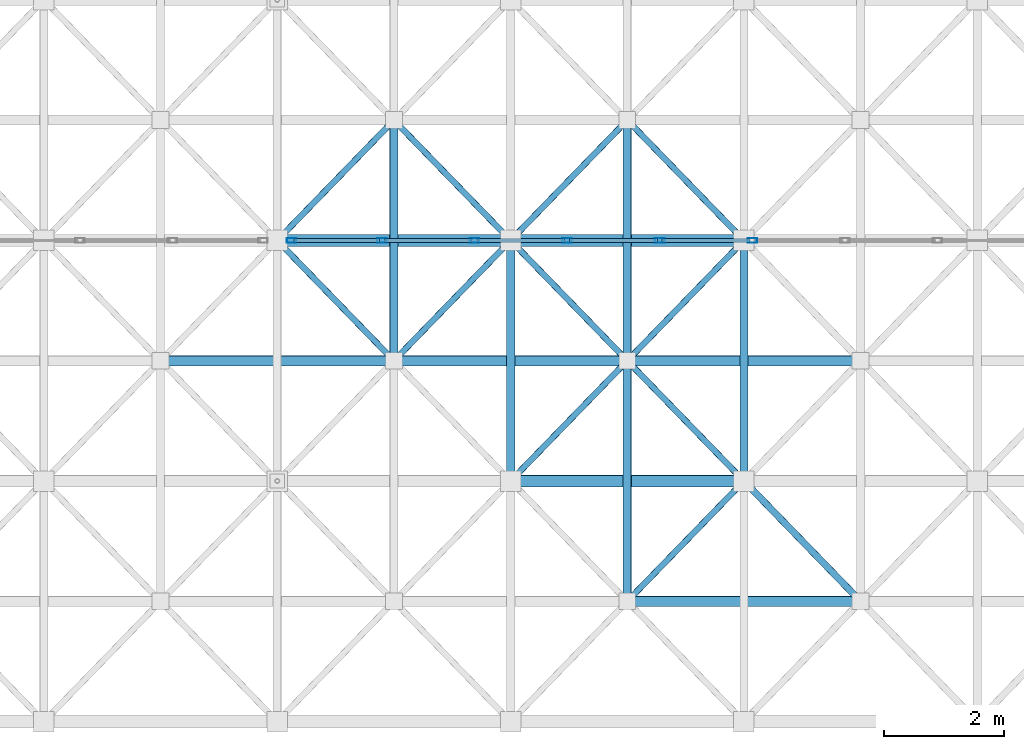
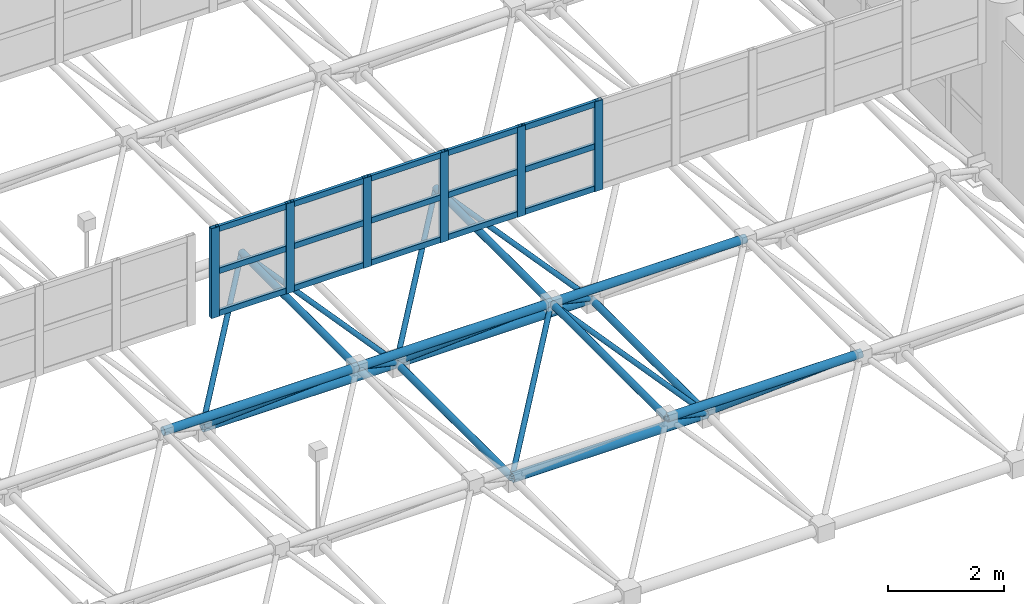
# One storey, part 51 of 195: 45 members, 1 element without a shape of its own.
"""IFC4 building model written with IfcOpenShell, lengths in metres."""

from ifc_helpers import new_model, si_unit, direction, frame, origin, origin_2d, place, context, subcontext, project, spatial, hollow_rectangle, hollow_circle, extrude, material, material_profile, profile_set, type_object, element, aggregate, save


model = new_model("IFC4")

# Units and contexts
model_context = context("Model", 3, precision=1e-05, world=origin(), true_north=direction((0.0, 1.0)))
body_context = subcontext(model_context, "Body", "Model", "MODEL_VIEW")
ifc_project = project(units=[si_unit("LENGTHUNIT", "METRE"), si_unit("AREAUNIT", "SQUARE_METRE"), si_unit("VOLUMEUNIT", "CUBIC_METRE"), si_unit("PLANEANGLEUNIT", "RADIAN"), si_unit("MASSUNIT", "GRAM", prefix="KILO")], contexts=[model_context])

# Site, building, storey
site_placement = place(None, origin())
site = spatial("IfcSite", under=ifc_project, at=site_placement, CompositionType="ELEMENT")
building_placement = place(site_placement, origin())
building = spatial("IfcBuilding", under=site, at=building_placement, Name="Kharva Crest Polytechnic", CompositionType="ELEMENT")
storey_placement = place(building_placement, frame((0.0, 0.0, 9.0)))
storey = spatial("IfcBuildingStorey", under=building, at=storey_placement, Name="L02", CompositionType="ELEMENT", Elevation=9.0)

# Curtain wall, members
ifc_material_1 = material(Name="Tempered insulated glass", Category="glass")
curtain_wall_type = type_object("IfcCurtainWallType", Name="CW-SYS-NORTHLIGHT", PredefinedType="USERDEFINED", material=ifc_material_1)
curtain_wall_placement = place(storey_placement, origin())
curtain_wall = element("IfcCurtainWall", 1, at=curtain_wall_placement, inside=storey, type_object=curtain_wall_type, Name="L02 Glazed Curtain Wall CW-190", ObjectType="CURTAIN WALL", PredefinedType="USERDEFINED")
ifc_material_2 = material(Name="Steel S355", Category="steel")
ifc_material_profile_1 = material_profile(ifc_material_2, hollow_rectangle(XDim=0.080078125, YDim=0.159912109375, WallThickness=0.0048828125, at=origin_2d()), Name="RHS 160X80X5.0")
ifc_profile_set_1 = profile_set([ifc_material_profile_1], Name="Steel S355")
member_type_1 = type_object("IfcMemberType", Name="CWM-RHS160X80", PredefinedType="MULLION", material=ifc_profile_set_1)
member_1_placement = place(storey_placement, frame((16.239990234375, 46.800048828125, 2.85009765625), z_axis=(0.0, 0.0, 1.0), x_axis=(0.0, 1.0, 0.0)))
member_1 = element("IfcMember", 2, at=member_1_placement, type_object=member_type_1, Name="CW-190 mullion 1", PredefinedType="MULLION", context=body_context, shape_type="SweptSolid", body=[
    extrude(hollow_rectangle(XDim=0.080078125, YDim=0.159912109375, WallThickness=0.0048828125, at=origin_2d()), origin(), (0.0, 0.0, 1.0), 1.89990234375),
])
member_2_placement = place(storey_placement, frame((17.739990234375, 46.800048828125, 2.85009765625), z_axis=(0.0, 0.0, 1.0), x_axis=(0.0, 1.0, 0.0)))
member_2 = element("IfcMember", 3, at=member_2_placement, type_object=member_type_1, Name="CW-190 mullion 2", PredefinedType="MULLION", context=body_context, shape_type="SweptSolid", body=[
    extrude(hollow_rectangle(XDim=0.080078125, YDim=0.159912109375, WallThickness=0.0048828125, at=origin_2d()), origin(), (0.0, 0.0, 1.0), 1.89990234375),
])
member_3_placement = place(storey_placement, frame((19.280029296875, 46.800048828125, 2.85009765625), z_axis=(0.0, 0.0, 1.0), x_axis=(0.0, 1.0, 0.0)))
member_3 = element("IfcMember", 4, at=member_3_placement, type_object=member_type_1, Name="CW-190 mullion 3", PredefinedType="MULLION", context=body_context, shape_type="SweptSolid", body=[
    extrude(hollow_rectangle(XDim=0.080078125, YDim=0.159912109375, WallThickness=0.0048828125, at=origin_2d()), origin(), (0.0, 0.0, 1.0), 1.89990234375),
])
member_4_placement = place(storey_placement, frame((20.820068359375, 46.800048828125, 2.85009765625), z_axis=(0.0, 0.0, 1.0), x_axis=(0.0, 1.0, 0.0)))
member_4 = element("IfcMember", 5, at=member_4_placement, type_object=member_type_1, Name="CW-190 mullion 4", PredefinedType="MULLION", context=body_context, shape_type="SweptSolid", body=[
    extrude(hollow_rectangle(XDim=0.080078125, YDim=0.159912109375, WallThickness=0.0048828125, at=origin_2d()), origin(), (0.0, 0.0, 1.0), 1.89990234375),
])
member_5_placement = place(storey_placement, frame((22.360107421875, 46.800048828125, 2.85009765625), z_axis=(0.0, 0.0, 1.0), x_axis=(0.0, 1.0, 0.0)))
member_5 = element("IfcMember", 6, at=member_5_placement, type_object=member_type_1, Name="CW-190 mullion 5", PredefinedType="MULLION", context=body_context, shape_type="SweptSolid", body=[
    extrude(hollow_rectangle(XDim=0.080078125, YDim=0.159912109375, WallThickness=0.0048828125, at=origin_2d()), origin(), (0.0, 0.0, 1.0), 1.89990234375),
])
member_6_placement = place(storey_placement, frame((23.89990234375, 46.800048828125, 2.85009765625), z_axis=(0.0, 0.0, 1.0), x_axis=(0.0, 1.0, 0.0)))
member_6 = element("IfcMember", 7, at=member_6_placement, type_object=member_type_1, Name="CW-190 mullion 6", PredefinedType="MULLION", context=body_context, shape_type="SweptSolid", body=[
    extrude(hollow_rectangle(XDim=0.080078125, YDim=0.159912109375, WallThickness=0.0048828125, at=origin_2d()), origin(), (0.0, 0.0, 1.0), 1.89990234375),
])
ifc_material_profile_2 = material_profile(ifc_material_2, hollow_rectangle(XDim=0.06005859375, YDim=0.1201171875, WallThickness=0.00390625, at=origin_2d()), Name="RHS 120X60X4.0")
ifc_profile_set_2 = profile_set([ifc_material_profile_2], Name="Steel S355")
member_type_2 = type_object("IfcMemberType", Name="CWT-RHS120X60", PredefinedType="USERDEFINED", material=ifc_profile_set_2)
member_7_placement = place(storey_placement, frame((16.280029296875, 46.800048828125, 2.909912109375), z_axis=(1.0, 0.0, 0.0), x_axis=(0.0, 1.0, 0.0)))
member_7 = element("IfcMember", 8, at=member_7_placement, type_object=member_type_2, Name="CW-190 transom 1.1", ObjectType="TRANSOM", PredefinedType="USERDEFINED", context=body_context, shape_type="SweptSolid", body=[
    extrude(hollow_rectangle(XDim=0.06005859375, YDim=0.1201171875, WallThickness=0.00390625, at=origin_2d()), origin(), (0.0, 0.0, 1.0), 1.419921875),
])
member_8_placement = place(storey_placement, frame((16.280029296875, 46.800048828125, 3.800048828125), z_axis=(1.0, 0.0, 0.0), x_axis=(0.0, 1.0, 0.0)))
member_8 = element("IfcMember", 9, at=member_8_placement, type_object=member_type_2, Name="CW-190 transom 1.2", ObjectType="TRANSOM", PredefinedType="USERDEFINED", context=body_context, shape_type="SweptSolid", body=[
    extrude(hollow_rectangle(XDim=0.06005859375, YDim=0.1201171875, WallThickness=0.00390625, at=origin_2d()), origin(), (0.0, 0.0, 1.0), 1.419921875),
])
member_9_placement = place(storey_placement, frame((16.280029296875, 46.800048828125, 4.68994140625), z_axis=(1.0, 0.0, 0.0), x_axis=(0.0, 1.0, 0.0)))
member_9 = element("IfcMember", 10, at=member_9_placement, type_object=member_type_2, Name="CW-190 transom 1.3", ObjectType="TRANSOM", PredefinedType="USERDEFINED", context=body_context, shape_type="SweptSolid", body=[
    extrude(hollow_rectangle(XDim=0.06005859375, YDim=0.1201171875, WallThickness=0.00390625, at=origin_2d()), origin(), (0.0, 0.0, 1.0), 1.419921875),
])
member_10_placement = place(storey_placement, frame((17.780029296875, 46.800048828125, 2.909912109375), z_axis=(1.0, 0.0, 0.0), x_axis=(0.0, 1.0, 0.0)))
member_10 = element("IfcMember", 11, at=member_10_placement, type_object=member_type_2, Name="CW-190 transom 2.1", ObjectType="TRANSOM", PredefinedType="USERDEFINED", context=body_context, shape_type="SweptSolid", body=[
    extrude(hollow_rectangle(XDim=0.06005859375, YDim=0.1201171875, WallThickness=0.00390625, at=origin_2d()), origin(), (0.0, 0.0, 1.0), 1.4599609375),
])
member_11_placement = place(storey_placement, frame((17.780029296875, 46.800048828125, 3.800048828125), z_axis=(1.0, 0.0, 0.0), x_axis=(0.0, 1.0, 0.0)))
member_11 = element("IfcMember", 12, at=member_11_placement, type_object=member_type_2, Name="CW-190 transom 2.2", ObjectType="TRANSOM", PredefinedType="USERDEFINED", context=body_context, shape_type="SweptSolid", body=[
    extrude(hollow_rectangle(XDim=0.06005859375, YDim=0.1201171875, WallThickness=0.00390625, at=origin_2d()), origin(), (0.0, 0.0, 1.0), 1.4599609375),
])
member_12_placement = place(storey_placement, frame((17.780029296875, 46.800048828125, 4.68994140625), z_axis=(1.0, 0.0, 0.0), x_axis=(0.0, 1.0, 0.0)))
member_12 = element("IfcMember", 13, at=member_12_placement, type_object=member_type_2, Name="CW-190 transom 2.3", ObjectType="TRANSOM", PredefinedType="USERDEFINED", context=body_context, shape_type="SweptSolid", body=[
    extrude(hollow_rectangle(XDim=0.06005859375, YDim=0.1201171875, WallThickness=0.00390625, at=origin_2d()), origin(), (0.0, 0.0, 1.0), 1.4599609375),
])
member_13_placement = place(storey_placement, frame((19.320068359375, 46.800048828125, 2.909912109375), z_axis=(1.0, 0.0, 0.0), x_axis=(0.0, 1.0, 0.0)))
member_13 = element("IfcMember", 14, at=member_13_placement, type_object=member_type_2, Name="CW-190 transom 3.1", ObjectType="TRANSOM", PredefinedType="USERDEFINED", context=body_context, shape_type="SweptSolid", body=[
    extrude(hollow_rectangle(XDim=0.06005859375, YDim=0.1201171875, WallThickness=0.00390625, at=origin_2d()), origin(), (0.0, 0.0, 1.0), 1.4599609375),
])
member_14_placement = place(storey_placement, frame((19.320068359375, 46.800048828125, 3.800048828125), z_axis=(1.0, 0.0, 0.0), x_axis=(0.0, 1.0, 0.0)))
member_14 = element("IfcMember", 15, at=member_14_placement, type_object=member_type_2, Name="CW-190 transom 3.2", ObjectType="TRANSOM", PredefinedType="USERDEFINED", context=body_context, shape_type="SweptSolid", body=[
    extrude(hollow_rectangle(XDim=0.06005859375, YDim=0.1201171875, WallThickness=0.00390625, at=origin_2d()), origin(), (0.0, 0.0, 1.0), 1.4599609375),
])
member_15_placement = place(storey_placement, frame((19.320068359375, 46.800048828125, 4.68994140625), z_axis=(1.0, 0.0, 0.0), x_axis=(0.0, 1.0, 0.0)))
member_15 = element("IfcMember", 16, at=member_15_placement, type_object=member_type_2, Name="CW-190 transom 3.3", ObjectType="TRANSOM", PredefinedType="USERDEFINED", context=body_context, shape_type="SweptSolid", body=[
    extrude(hollow_rectangle(XDim=0.06005859375, YDim=0.1201171875, WallThickness=0.00390625, at=origin_2d()), origin(), (0.0, 0.0, 1.0), 1.4599609375),
])
member_16_placement = place(storey_placement, frame((20.860107421875, 46.800048828125, 2.909912109375), z_axis=(1.0, 0.0, 0.0), x_axis=(0.0, 1.0, 0.0)))
member_16 = element("IfcMember", 17, at=member_16_placement, type_object=member_type_2, Name="CW-190 transom 4.1", ObjectType="TRANSOM", PredefinedType="USERDEFINED", context=body_context, shape_type="SweptSolid", body=[
    extrude(hollow_rectangle(XDim=0.06005859375, YDim=0.1201171875, WallThickness=0.00390625, at=origin_2d()), origin(), (0.0, 0.0, 1.0), 1.4599609375),
])
member_17_placement = place(storey_placement, frame((20.860107421875, 46.800048828125, 3.800048828125), z_axis=(1.0, 0.0, 0.0), x_axis=(0.0, 1.0, 0.0)))
member_17 = element("IfcMember", 18, at=member_17_placement, type_object=member_type_2, Name="CW-190 transom 4.2", ObjectType="TRANSOM", PredefinedType="USERDEFINED", context=body_context, shape_type="SweptSolid", body=[
    extrude(hollow_rectangle(XDim=0.06005859375, YDim=0.1201171875, WallThickness=0.00390625, at=origin_2d()), origin(), (0.0, 0.0, 1.0), 1.4599609375),
])
member_18_placement = place(storey_placement, frame((20.860107421875, 46.800048828125, 4.68994140625), z_axis=(1.0, 0.0, 0.0), x_axis=(0.0, 1.0, 0.0)))
member_18 = element("IfcMember", 19, at=member_18_placement, type_object=member_type_2, Name="CW-190 transom 4.3", ObjectType="TRANSOM", PredefinedType="USERDEFINED", context=body_context, shape_type="SweptSolid", body=[
    extrude(hollow_rectangle(XDim=0.06005859375, YDim=0.1201171875, WallThickness=0.00390625, at=origin_2d()), origin(), (0.0, 0.0, 1.0), 1.4599609375),
])
member_19_placement = place(storey_placement, frame((22.39990234375, 46.800048828125, 2.909912109375), z_axis=(1.0, 0.0, 0.0), x_axis=(0.0, 1.0, 0.0)))
member_19 = element("IfcMember", 20, at=member_19_placement, type_object=member_type_2, Name="CW-190 transom 5.1", ObjectType="TRANSOM", PredefinedType="USERDEFINED", context=body_context, shape_type="SweptSolid", body=[
    extrude(hollow_rectangle(XDim=0.06005859375, YDim=0.1201171875, WallThickness=0.00390625, at=origin_2d()), origin(), (0.0, 0.0, 1.0), 1.460205078125),
])
member_20_placement = place(storey_placement, frame((22.39990234375, 46.800048828125, 3.800048828125), z_axis=(1.0, 0.0, 0.0), x_axis=(0.0, 1.0, 0.0)))
member_20 = element("IfcMember", 21, at=member_20_placement, type_object=member_type_2, Name="CW-190 transom 5.2", ObjectType="TRANSOM", PredefinedType="USERDEFINED", context=body_context, shape_type="SweptSolid", body=[
    extrude(hollow_rectangle(XDim=0.06005859375, YDim=0.1201171875, WallThickness=0.00390625, at=origin_2d()), origin(), (0.0, 0.0, 1.0), 1.460205078125),
])
member_21_placement = place(storey_placement, frame((22.39990234375, 46.800048828125, 4.68994140625), z_axis=(1.0, 0.0, 0.0), x_axis=(0.0, 1.0, 0.0)))
member_21 = element("IfcMember", 22, at=member_21_placement, type_object=member_type_2, Name="CW-190 transom 5.3", ObjectType="TRANSOM", PredefinedType="USERDEFINED", context=body_context, shape_type="SweptSolid", body=[
    extrude(hollow_rectangle(XDim=0.06005859375, YDim=0.1201171875, WallThickness=0.00390625, at=origin_2d()), origin(), (0.0, 0.0, 1.0), 1.460205078125),
])
aggregate(curtain_wall, [member_1, member_2, member_3, member_4, member_5, member_6, member_7, member_8, member_9, member_10, member_11, member_12, member_13, member_14, member_15, member_16, member_17, member_18, member_19, member_20, member_21])

# Members
ifc_material_profile_3 = material_profile(ifc_material_2, hollow_circle(Radius=0.05078125, WallThickness=0.0048828125, at=origin_2d()), Name="CHS 101.6X5.0")
ifc_profile_set_3 = profile_set([ifc_material_profile_3], Name="Steel S355")
member_type_3 = type_object("IfcMemberType", Name="MEM-CHS101", PredefinedType="BRACE", material=ifc_profile_set_3)
for number, where, z_axis, x_axis, name in (
    (23, (16.0, 46.800048828125, 0.60009765625), (0.584843378742, -0.602949529154, 0.542595694449), (0.717802189577, 0.696247094528, 0.0), "Space Frame Web Diagonal 679"),
    (24, (19.8798828125, 46.800048828125, 0.60009765625), (-0.584843378742, -0.602949529154, 0.542595694449), (0.717802189577, -0.696247094528, 0.0), "Space Frame Web Diagonal 680"),
    (25, (16.0, 46.800048828125, 0.60009765625), (0.584843378742, 0.602949529154, 0.542595694449), (-0.717802189577, 0.696247094528, 0.0), "Space Frame Web Diagonal 681"),
    (26, (19.8798828125, 46.800048828125, 0.60009765625), (-0.584843378742, 0.602949529154, 0.542595694449), (-0.717802189577, -0.696247094528, 0.0), "Space Frame Web Diagonal 682"),
    (27, (23.760009765625, 42.800048828125, 0.60009765625), (-0.584843378742, -0.602949529154, 0.542595694449), (0.717802189577, -0.696247094528, 0.0), "Space Frame Web Diagonal 732"),
    (28, (19.8798828125, 42.800048828125, 0.60009765625), (0.584891802813, 0.602923574763, 0.542572338032), (-0.717758400015, 0.696292236929, 0.0), "Space Frame Web Diagonal 733"),
    (29, (23.760009765625, 42.800048828125, 0.60009765625), (-0.584843378742, 0.602949529154, 0.542595694449), (-0.717802189577, -0.696247094528, 0.0), "Space Frame Web Diagonal 734"),
    (30, (19.8798828125, 46.800048828125, 0.60009765625), (0.584891802813, -0.602923574763, 0.542572338032), (0.717758400015, 0.696292236929, 0.0), "Space Frame Web Diagonal 735"),
    (31, (23.760009765625, 46.800048828125, 0.60009765625), (-0.584843378742, -0.602949529154, 0.542595694449), (0.717802189577, -0.696247094528, 0.0), "Space Frame Web Diagonal 736"),
    (32, (19.8798828125, 46.800048828125, 0.60009765625), (0.584891802813, 0.602923574763, 0.542572338032), (-0.717758400015, 0.696292236929, 0.0), "Space Frame Web Diagonal 737"),
    (33, (23.760009765625, 46.800048828125, 0.60009765625), (-0.584843378742, 0.602949529154, 0.542595694449), (-0.717802189577, -0.696247094528, 0.0), "Space Frame Web Diagonal 738"),
):
    element("IfcMember", number, at=place(storey_placement, frame(where, z_axis=z_axis, x_axis=x_axis)), inside=storey, type_object=member_type_3, Name=name, PredefinedType="BRACE", context=body_context, shape_type="SweptSolid", body=[
        extrude(hollow_circle(Radius=0.05078125, WallThickness=0.0048828125, at=origin_2d()), origin(), (0.0, 0.0, 1.0), 3.317138671875),
    ])
ifc_material_profile_4 = material_profile(ifc_material_2, hollow_circle(Radius=0.05712890625, WallThickness=0.00634765625, at=origin_2d()), Name="CHS 114.3X6.3")
ifc_profile_set_4 = profile_set([ifc_material_profile_4], Name="Steel S355")
member_type_4 = type_object("IfcMemberType", Name="MEM-CHS114", PredefinedType="BRACE", material=ifc_profile_set_4)
member_22_placement = place(storey_placement, frame((23.760009765625, 42.800048828125, 0.60009765625), z_axis=(0.584843378742, -0.602949529154, 0.542595694449), x_axis=(0.717802189577, 0.696247094528, 0.0)))
element("IfcMember", 34, at=member_22_placement, inside=storey, type_object=member_type_4, Name="Space Frame Web Diagonal 787", PredefinedType="BRACE", context=body_context, shape_type="SweptSolid", body=[
    extrude(hollow_circle(Radius=0.05712890625, WallThickness=0.00634765625, at=origin_2d()), origin(), (0.0, 0.0, 1.0), 3.317138671875),
])
ifc_material_profile_5 = material_profile(ifc_material_2, hollow_circle(Radius=0.06982421875, WallThickness=0.00634765625, at=origin_2d()), Name="CHS 139.7X6.3")
ifc_profile_set_5 = profile_set([ifc_material_profile_5], Name="Steel S355")
member_type_5 = type_object("IfcMemberType", Name="MEM-CHS139", PredefinedType="CHORD", material=ifc_profile_set_5)
for number, where, z_axis, x_axis, name in (
    (35, (19.8798828125, 42.800048828125, 0.60009765625), (0.0, 1.0, 0.0), (-1.0, 0.0, 0.0), "Space Frame Bottom Chord Y 192"),
    (36, (23.760009765625, 42.800048828125, 0.60009765625), (0.0, 1.0, 0.0), (-1.0, 0.0, 0.0), "Space Frame Bottom Chord Y 206"),
    (37, (17.93994140625, 44.800048828125, 2.39990234375), (0.0, 1.0, 0.0), (-1.0, 0.0, 0.0), "Space Frame Top Chord Y 398"),
    (38, (21.820068359375, 40.800048828125, 2.39990234375), (0.0, 1.0, 0.0), (-1.0, 0.0, 0.0), "Space Frame Top Chord Y 410"),
    (39, (21.820068359375, 44.800048828125, 2.39990234375), (0.0, 1.0, 0.0), (-1.0, 0.0, 0.0), "Space Frame Top Chord Y 411"),
):
    element("IfcMember", number, at=place(storey_placement, frame(where, z_axis=z_axis, x_axis=x_axis)), inside=storey, type_object=member_type_5, Name=name, PredefinedType="CHORD", context=body_context, shape_type="SweptSolid", body=[
        extrude(hollow_circle(Radius=0.06982421875, WallThickness=0.00634765625, at=origin_2d()), origin(), (0.0, 0.0, 1.0), 4.0),
    ])
ifc_material_profile_6 = material_profile(ifc_material_2, hollow_circle(Radius=0.084228515625, WallThickness=0.008056640625, at=origin_2d()), Name="CHS 168.3X8.0")
ifc_profile_set_6 = profile_set([ifc_material_profile_6], Name="Steel S355")
member_type_6 = type_object("IfcMemberType", Name="MEM-CHS168", PredefinedType="CHORD", material=ifc_profile_set_6)
for number, where, z_axis, x_axis, name in (
    (40, (21.820068359375, 40.800048828125, 2.39990234375), (1.0, 0.0, 0.0), (0.0, 1.0, 0.0), "Space Frame Top Chord X 252"),
    (41, (14.06005859375, 44.800048828125, 2.39990234375), (1.0, 0.0, 0.0), (0.0, 1.0, 0.0), "Space Frame Top Chord X 257"),
):
    element("IfcMember", number, at=place(storey_placement, frame(where, z_axis=z_axis, x_axis=x_axis)), inside=storey, type_object=member_type_6, Name=name, PredefinedType="CHORD", context=body_context, shape_type="SweptSolid", body=[
        extrude(hollow_circle(Radius=0.084228515625, WallThickness=0.008056640625, at=origin_2d()), origin(), (0.0, 0.0, 1.0), 3.8798828125),
    ])
member_23_placement = place(storey_placement, frame((17.93994140625, 44.800048828125, 2.39990234375), z_axis=(1.0, 0.0, 0.0), x_axis=(0.0, 1.0, 0.0)))
element("IfcMember", 42, at=member_23_placement, inside=storey, type_object=member_type_6, Name="Space Frame Top Chord X 258", PredefinedType="CHORD", context=body_context, shape_type="SweptSolid", body=[
    extrude(hollow_circle(Radius=0.084228515625, WallThickness=0.008056640625, at=origin_2d()), origin(), (0.0, 0.0, 1.0), 3.880126953125),
])
member_24_placement = place(storey_placement, frame((21.820068359375, 44.800048828125, 2.39990234375), z_axis=(1.0, 0.0, 0.0), x_axis=(0.0, 1.0, 0.0)))
element("IfcMember", 43, at=member_24_placement, inside=storey, type_object=member_type_6, Name="Space Frame Top Chord X 259", PredefinedType="CHORD", context=body_context, shape_type="SweptSolid", body=[
    extrude(hollow_circle(Radius=0.084228515625, WallThickness=0.008056640625, at=origin_2d()), origin(), (0.0, 0.0, 1.0), 3.8798828125),
])
ifc_material_profile_7 = material_profile(ifc_material_2, hollow_circle(Radius=0.096923828125, WallThickness=0.008056640625, at=origin_2d()), Name="CHS 193.7X8.0")
ifc_profile_set_7 = profile_set([ifc_material_profile_7], Name="Steel S355")
member_type_7 = type_object("IfcMemberType", Name="MEM-CHS193", PredefinedType="CHORD", material=ifc_profile_set_7)
member_25_placement = place(storey_placement, frame((19.8798828125, 42.800048828125, 0.60009765625), z_axis=(1.0, 0.0, 0.0), x_axis=(0.0, 1.0, 0.0)))
element("IfcMember", 44, at=member_25_placement, inside=storey, type_object=member_type_7, Name="Space Frame Bottom Chord X 14", PredefinedType="CHORD", context=body_context, shape_type="SweptSolid", body=[
    extrude(hollow_circle(Radius=0.096923828125, WallThickness=0.008056640625, at=origin_2d()), origin(), (0.0, 0.0, 1.0), 3.880126953125),
])
member_26_placement = place(storey_placement, frame((16.0, 46.800048828125, 0.60009765625), z_axis=(1.0, 0.0, 0.0), x_axis=(0.0, 1.0, 0.0)))
element("IfcMember", 45, at=member_26_placement, inside=storey, type_object=member_type_7, Name="Space Frame Bottom Chord X 21", PredefinedType="CHORD", context=body_context, shape_type="SweptSolid", body=[
    extrude(hollow_circle(Radius=0.096923828125, WallThickness=0.008056640625, at=origin_2d()), origin(), (0.0, 0.0, 1.0), 3.8798828125),
])
member_27_placement = place(storey_placement, frame((19.8798828125, 46.800048828125, 0.60009765625), z_axis=(1.0, 0.0, 0.0), x_axis=(0.0, 1.0, 0.0)))
element("IfcMember", 46, at=member_27_placement, inside=storey, type_object=member_type_7, Name="Space Frame Bottom Chord X 22", PredefinedType="CHORD", context=body_context, shape_type="SweptSolid", body=[
    extrude(hollow_circle(Radius=0.096923828125, WallThickness=0.008056640625, at=origin_2d()), origin(), (0.0, 0.0, 1.0), 3.880126953125),
])

save(model, "model.ifc")
